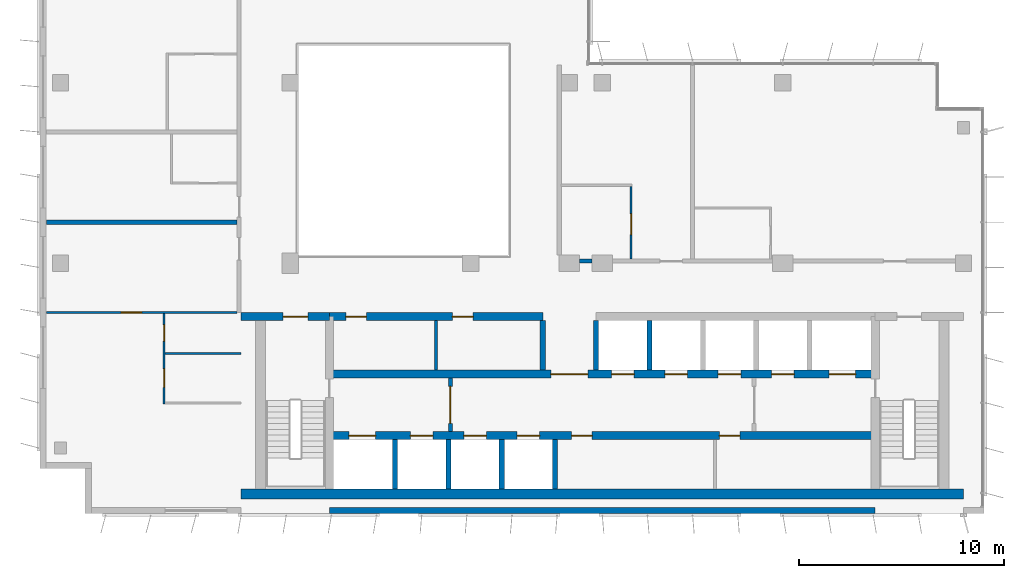
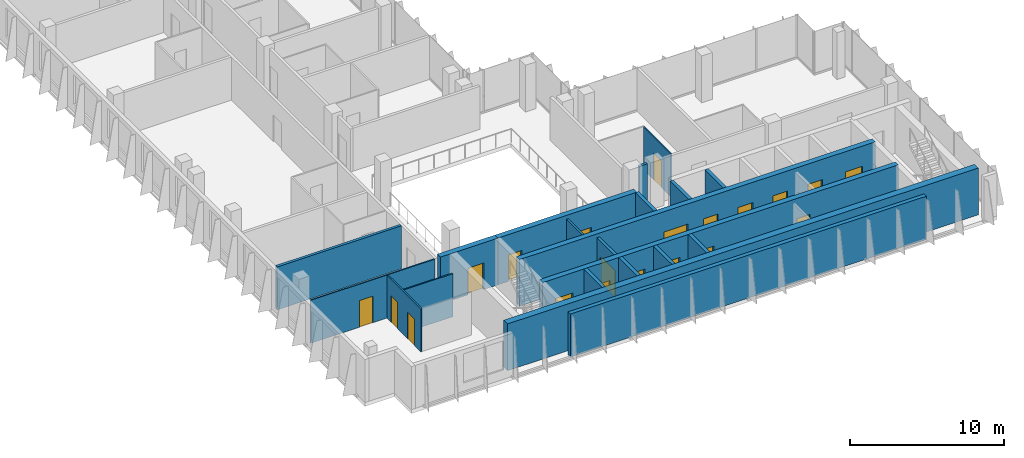
# One storey, part 9 of 15: 21 walls, 20 doors, 20 openings.
"""IFC4 building model written with IfcOpenShell, lengths in metres."""

from ifc_helpers import new_model, si_unit, direction, frame, frame_2d, origin, place, context, subcontext, project, spatial, rectangle, extrude, material, layer, layer_set, type_object, element, fill, save


model = new_model("IFC4")

# Units and contexts
model_context = context("Model", 3, precision=1e-05, world=origin(), true_north=direction((0.0, 1.0)))
body_context = subcontext(model_context, "Body", "Model", "MODEL_VIEW")
ifc_project = project(units=[si_unit("LENGTHUNIT", "METRE"), si_unit("AREAUNIT", "SQUARE_METRE"), si_unit("VOLUMEUNIT", "CUBIC_METRE"), si_unit("PLANEANGLEUNIT", "RADIAN"), si_unit("MASSUNIT", "GRAM", prefix="KILO")], contexts=[model_context])

# Site, building, storey
site_placement = place(None, origin())
site = spatial("IfcSite", under=ifc_project, at=site_placement, CompositionType="ELEMENT")
building_placement = place(site_placement, origin())
building = spatial("IfcBuilding", under=site, at=building_placement, Name="Kemantara Hotel Tower", CompositionType="ELEMENT")
storey_placement = place(building_placement, frame((0.0, 0.0, 233.89990234375)))
storey = spatial("IfcBuildingStorey", under=building, at=storey_placement, Name="L58", CompositionType="ELEMENT", Elevation=233.89990234375)

# Walls
ifc_material_1 = material(Name="Bronze anodised aluminium cladding on insulated steel stud wall", Category="steel")
ifc_layer_1 = layer(ifc_material_1, 0.300048828125)
ifc_layer_set_1 = layer_set([ifc_layer_1], Name="Bronze anodised aluminium cladding on insulated steel stud wall")
wall_type_1 = type_object("IfcWallType", Name="BRONZE METAL-CLAD EXTERNAL WALL 300", PredefinedType="STANDARD", material=ifc_layer_set_1)
wall_1_placement = place(storey_placement, frame((14.10009765625, 0.14990234375, 0.0), z_axis=(0.0, 0.0, 1.0), x_axis=(1.0, 0.0, 0.0)))
element("IfcWall", 1, at=wall_1_placement, inside=storey, type_object=wall_type_1, Name="EXTERNAL WALL L58 T4-R08-2", PredefinedType="STANDARD", context=body_context, shape_type="SweptSolid", body=[
    extrude(rectangle(XDim=26.599853515625, YDim=0.300048828125, at=frame_2d((13.2998046875, 0.0))), origin(), (0.0, 0.0, 1.0), 3.400146484375),
])
ifc_material_2 = material(Name="Concrete fc 60 MPa", Category="concrete")
ifc_layer_2 = layer(ifc_material_2, 0.25)
ifc_layer_set_2 = layer_set([ifc_layer_2], Name="Concrete fc 60 MPa")
wall_type_2 = type_object("IfcWallType", Name="CORE WALL 250 FC60", PredefinedType="SHEAR", material=ifc_layer_set_2)
for number, where, z_axis, x_axis, name in (
    (2, (17.300048828125, 1.199951171875, 0.0), (0.0, 0.0, 1.0), (0.0, 1.0, 0.0), "CORE WALL CW-DS17.3"),
    (3, (19.89990234375, 1.199951171875, 0.0), (0.0, 0.0, 1.0), (0.0, 1.0, 0.0), "CORE WALL CW-DS19.9"),
    (4, (22.5, 1.199951171875, 0.0), (0.0, 0.0, 1.0), (0.0, 1.0, 0.0), "CORE WALL CW-DS22.5"),
    (5, (25.10009765625, 1.199951171875, 0.0), (0.0, 0.0, 1.0), (0.0, 1.0, 0.0), "CORE WALL CW-DS25.1"),
):
    element("IfcWall", number, at=place(storey_placement, frame(where, z_axis=z_axis, x_axis=x_axis)), inside=storey, type_object=wall_type_2, Name=name, PredefinedType="SHEAR", context=body_context, shape_type="SweptSolid", body=[
        extrude(rectangle(XDim=2.400146484375, YDim=0.25, at=frame_2d((1.2001953125, 0.0))), origin(), (0.0, 0.0, 1.0), 3.7001953125),
    ])
for number, where, z_axis, x_axis, name in (
    (6, (24.5, 7.0, 0.0), (0.0, 0.0, 1.0), (0.0, 1.0, 0.0), "CORE WALL CW-DN24.5"),
    (7, (27.10009765625, 7.0, 0.0), (0.0, 0.0, 1.0), (0.0, 1.0, 0.0), "CORE WALL CW-DN27.1"),
    (8, (29.699951171875, 7.0, 0.0), (0.0, 0.0, 1.0), (0.0, 1.0, 0.0), "CORE WALL CW-DN29.7"),
):
    element("IfcWall", number, at=place(storey_placement, frame(where, z_axis=z_axis, x_axis=x_axis)), inside=storey, type_object=wall_type_2, Name=name, PredefinedType="SHEAR", context=body_context, shape_type="SweptSolid", body=[
        extrude(rectangle(XDim=2.39990234375, YDim=0.25, at=frame_2d((1.199951171875, 0.0))), origin(), (0.0, 0.0, 1.0), 3.7001953125),
    ])

# Wall, opening, door
ifc_layer_3 = layer(ifc_material_2, 0.39990234375)
ifc_layer_set_3 = layer_set([ifc_layer_3], Name="Concrete fc 60 MPa")
wall_type_3 = type_object("IfcWallType", Name="CORE WALL 400 FC60", PredefinedType="SHEAR", material=ifc_layer_set_3)
wall_2_placement = place(storey_placement, frame((9.800048828125, 9.60009765625, 0.0), z_axis=(0.0, 0.0, 1.0), x_axis=(1.0, 0.0, 0.0)))
wall_2 = element("IfcWall", 9, at=wall_2_placement, inside=storey, type_object=wall_type_3, Name="CORE WALL CW-N1", PredefinedType="SHEAR", context=body_context, shape_type="SweptSolid", body=[
    extrude(rectangle(XDim=4.300048828125, YDim=0.39990234375, at=frame_2d((2.14990234375, 0.0))), origin(), (0.0, 0.0, 1.0), 3.7001953125),
])
opening_1_placement = place(wall_2_placement, frame((2.050048828125, 0.0, 0.0)))
opening_1 = element("IfcOpeningElement", 10, at=opening_1_placement, cuts=wall_2, Name="Opening C35-ST1-C", PredefinedType="OPENING", context=body_context, shape_type="SweptSolid", body=[
    extrude(rectangle(XDim=1.199951171875, YDim=2.10009765625, at=frame_2d((0.60009765625, 1.050048828125))), frame((0.0, 0.2099609375, 0.0), z_axis=(0.0, -1.0, 0.0), x_axis=(1.0, 0.0, 0.0)), (0.0, 0.0, 1.0), 0.419921875),
])
ifc_material_3 = material(Name="Steel fire door", Category="steel")
door_type_1 = type_object("IfcDoorType", Name="Fire door FD90 1200 x 2100", OperationType="NOTDEFINED", PredefinedType="DOOR", material=ifc_material_3)
door_1_placement = place(opening_1_placement, frame((1.199951171875, 0.0, 0.0), z_axis=(0.0, 0.0, 1.0), x_axis=(-1.0, 0.0, 0.0)))
door_1 = element("IfcDoor", 11, at=door_1_placement, inside=storey, type_object=door_type_1, Name="Stair ST1 door to corridor", OperationType="SINGLE_SWING_LEFT", OverallHeight=2.10009765625, OverallWidth=1.199951171875, PredefinedType="DOOR", context=body_context, shape_type="SweptSolid", body=[
    extrude(rectangle(XDim=1.199951171875, YDim=2.10009765625, at=frame_2d((0.60009765625, 1.050048828125))), frame((0.0, 0.02490234375, 0.0), z_axis=(0.0, -1.0, 0.0), x_axis=(1.0, 0.0, 0.0)), (0.0, 0.0, 1.0), 0.050048828125),
])
fill(opening_1, door_1)

# Wall, openings, doors
wall_3_placement = place(storey_placement, frame((14.10009765625, 9.60009765625, 0.0), z_axis=(0.0, 0.0, 1.0), x_axis=(1.0, 0.0, 0.0)))
wall_3 = element("IfcWall", 12, at=wall_3_placement, inside=storey, type_object=wall_type_3, Name="CORE WALL CW-NN1", PredefinedType="SHEAR", context=body_context, shape_type="SweptSolid", body=[
    extrude(rectangle(XDim=10.39990234375, YDim=0.39990234375, at=frame_2d((5.199951171875, 0.0))), origin(), (0.0, 0.0, 1.0), 3.7001953125),
])
opening_2_placement = place(wall_3_placement, frame((0.800048828125, 0.0, 0.0)))
opening_2 = element("IfcOpeningElement", 13, at=opening_2_placement, cuts=wall_3, Name="Opening C35-R-NW1", PredefinedType="OPENING", context=body_context, shape_type="SweptSolid", body=[
    extrude(rectangle(XDim=1.0, YDim=2.10009765625, at=frame_2d((0.5, 1.050048828125))), frame((0.0, 0.2099609375, 0.0), z_axis=(0.0, -1.0, 0.0), x_axis=(1.0, 0.0, 0.0)), (0.0, 0.0, 1.0), 0.419921875),
])
opening_3_placement = place(wall_3_placement, frame((6.0, 0.0, 0.0)))
opening_3 = element("IfcOpeningElement", 14, at=opening_3_placement, cuts=wall_3, Name="Opening C35-R-NW2", PredefinedType="OPENING", context=body_context, shape_type="SweptSolid", body=[
    extrude(rectangle(XDim=1.0, YDim=2.10009765625, at=frame_2d((0.5, 1.050048828125))), frame((0.0, 0.2099609375, 0.0), z_axis=(0.0, -1.0, 0.0), x_axis=(1.0, 0.0, 0.0)), (0.0, 0.0, 1.0), 0.419921875),
])
door_type_2 = type_object("IfcDoorType", Name="Fire door FD30S 1000 x 2100", OperationType="NOTDEFINED", PredefinedType="DOOR", material=ifc_material_3)
door_2_placement = place(opening_2_placement, frame((1.0, 0.0, 0.0), z_axis=(0.0, 0.0, 1.0), x_axis=(-1.0, 0.0, 0.0)))
door_2 = element("IfcDoor", 15, at=door_2_placement, inside=storey, type_object=door_type_2, Name="Housekeeping Store door", OperationType="SINGLE_SWING_RIGHT", OverallHeight=2.10009765625, OverallWidth=1.0, PredefinedType="DOOR", context=body_context, shape_type="SweptSolid", body=[
    extrude(rectangle(XDim=1.0, YDim=2.10009765625, at=frame_2d((0.5, 1.050048828125))), frame((0.0, 0.02490234375, 0.0), z_axis=(0.0, -1.0, 0.0), x_axis=(1.0, 0.0, 0.0)), (0.0, 0.0, 1.0), 0.050048828125),
])
fill(opening_2, door_2)
door_3_placement = place(opening_3_placement, frame((1.0, 0.0, 0.0), z_axis=(0.0, 0.0, 1.0), x_axis=(-1.0, 0.0, 0.0)))
door_3 = element("IfcDoor", 16, at=door_3_placement, inside=storey, type_object=door_type_2, Name="Staff Lounge door", OperationType="SINGLE_SWING_LEFT", OverallHeight=2.10009765625, OverallWidth=1.0, PredefinedType="DOOR", context=body_context, shape_type="SweptSolid", body=[
    extrude(rectangle(XDim=1.0, YDim=2.10009765625, at=frame_2d((0.5, 1.050048828125))), frame((0.0, 0.02490234375, 0.0), z_axis=(0.0, -1.0, 0.0), x_axis=(1.0, 0.0, 0.0)), (0.0, 0.0, 1.0), 0.050048828125),
])
fill(opening_3, door_3)

wall_4_placement = place(storey_placement, frame((14.10009765625, 3.800048828125, 0.0), z_axis=(0.0, 0.0, 1.0), x_axis=(1.0, 0.0, 0.0)))
wall_4 = element("IfcWall", 17, at=wall_4_placement, inside=storey, type_object=wall_type_3, Name="CORE WALL CW-L1", PredefinedType="SHEAR", context=body_context, shape_type="SweptSolid", body=[
    extrude(rectangle(XDim=26.599853515625, YDim=0.39990234375, at=frame_2d((13.2998046875, 0.0))), origin(), (0.0, 0.0, 1.0), 3.7001953125),
])
opening_4_placement = place(wall_4_placement, frame((0.949951171875, 0.0, 0.0)))
opening_4 = element("IfcOpeningElement", 18, at=opening_4_placement, cuts=wall_4, Name="Opening C35-LD-FF1", PredefinedType="OPENING", context=body_context, shape_type="SweptSolid", body=[
    extrude(rectangle(XDim=1.300048828125, YDim=2.10009765625, at=frame_2d((0.64990234375, 1.050048828125))), frame((0.0, 0.2099609375, 0.0), z_axis=(0.0, -1.0, 0.0), x_axis=(1.0, 0.0, 0.0)), (0.0, 0.0, 1.0), 0.419921875),
])
opening_5_placement = place(wall_4_placement, frame((3.949951171875, 0.0, 0.0)))
opening_5 = element("IfcOpeningElement", 19, at=opening_5_placement, cuts=wall_4, Name="Opening C35-LD-SV1", PredefinedType="OPENING", context=body_context, shape_type="SweptSolid", body=[
    extrude(rectangle(XDim=1.10009765625, YDim=2.10009765625, at=frame_2d((0.550048828125, 1.050048828125))), frame((0.0, 0.2099609375, 0.0), z_axis=(0.0, -1.0, 0.0), x_axis=(1.0, 0.0, 0.0)), (0.0, 0.0, 1.0), 0.419921875),
])
opening_6_placement = place(wall_4_placement, frame((6.550048828125, 0.0, 0.0)))
opening_6 = element("IfcOpeningElement", 20, at=opening_6_placement, cuts=wall_4, Name="Opening C35-LD-SV2", PredefinedType="OPENING", context=body_context, shape_type="SweptSolid", body=[
    extrude(rectangle(XDim=1.10009765625, YDim=2.10009765625, at=frame_2d((0.550048828125, 1.050048828125))), frame((0.0, 0.2099609375, 0.0), z_axis=(0.0, -1.0, 0.0), x_axis=(1.0, 0.0, 0.0)), (0.0, 0.0, 1.0), 0.419921875),
])
opening_7_placement = place(wall_4_placement, frame((9.14990234375, 0.0, 0.0)))
opening_7 = element("IfcOpeningElement", 21, at=opening_7_placement, cuts=wall_4, Name="Opening C35-LD-SV3", PredefinedType="OPENING", context=body_context, shape_type="SweptSolid", body=[
    extrude(rectangle(XDim=1.10009765625, YDim=2.10009765625, at=frame_2d((0.550048828125, 1.050048828125))), frame((0.0, 0.2099609375, 0.0), z_axis=(0.0, -1.0, 0.0), x_axis=(1.0, 0.0, 0.0)), (0.0, 0.0, 1.0), 0.419921875),
])
opening_8_placement = place(wall_4_placement, frame((11.800048828125, 0.0, 0.0)))
opening_8 = element("IfcOpeningElement", 22, at=opening_8_placement, cuts=wall_4, Name="Opening C35-R-SM1", PredefinedType="OPENING", context=body_context, shape_type="SweptSolid", body=[
    extrude(rectangle(XDim=1.0, YDim=2.10009765625, at=frame_2d((0.5, 1.050048828125))), frame((0.0, 0.2099609375, 0.0), z_axis=(0.0, -1.0, 0.0), x_axis=(1.0, 0.0, 0.0)), (0.0, 0.0, 1.0), 0.419921875),
])
opening_9_placement = place(wall_4_placement, frame((19.0, 0.0, 0.0)))
opening_9 = element("IfcOpeningElement", 23, at=opening_9_placement, cuts=wall_4, Name="Opening C35-R-SM2", PredefinedType="OPENING", context=body_context, shape_type="SweptSolid", body=[
    extrude(rectangle(XDim=1.0, YDim=2.10009765625, at=frame_2d((0.5, 1.050048828125))), frame((0.0, 0.2099609375, 0.0), z_axis=(0.0, -1.0, 0.0), x_axis=(1.0, 0.0, 0.0)), (0.0, 0.0, 1.0), 0.419921875),
])
door_4_placement = place(opening_8_placement, frame((1.0, 0.0, 0.0), z_axis=(0.0, 0.0, 1.0), x_axis=(-1.0, 0.0, 0.0)))
door_4 = element("IfcDoor", 24, at=door_4_placement, inside=storey, type_object=door_type_2, Name="Luggage Store door", OperationType="SINGLE_SWING_RIGHT", OverallHeight=2.10009765625, OverallWidth=1.0, PredefinedType="DOOR", context=body_context, shape_type="SweptSolid", body=[
    extrude(rectangle(XDim=1.0, YDim=2.10009765625, at=frame_2d((0.5, 1.050048828125))), frame((0.0, 0.02490234375, 0.0), z_axis=(0.0, -1.0, 0.0), x_axis=(1.0, 0.0, 0.0)), (0.0, 0.0, 1.0), 0.050048828125),
])
fill(opening_8, door_4)
door_5_placement = place(opening_9_placement, frame((1.0, 0.0, 0.0), z_axis=(0.0, 0.0, 1.0), x_axis=(-1.0, 0.0, 0.0)))
door_5 = element("IfcDoor", 25, at=door_5_placement, inside=storey, type_object=door_type_2, Name="Guest Pantry door", OperationType="SINGLE_SWING_LEFT", OverallHeight=2.10009765625, OverallWidth=1.0, PredefinedType="DOOR", context=body_context, shape_type="SweptSolid", body=[
    extrude(rectangle(XDim=1.0, YDim=2.10009765625, at=frame_2d((0.5, 1.050048828125))), frame((0.0, 0.02490234375, 0.0), z_axis=(0.0, -1.0, 0.0), x_axis=(1.0, 0.0, 0.0)), (0.0, 0.0, 1.0), 0.050048828125),
])
fill(opening_9, door_5)
ifc_material_4 = material(Name="Stainless steel lift door", Category="steel")
door_type_3 = type_object("IfcDoorType", Name="Lift landing door 1100 x 2100 FD60", OperationType="DOUBLE_DOOR_SLIDING", PredefinedType="DOOR", material=ifc_material_4)
door_6_placement = place(opening_5_placement, origin())
door_6 = element("IfcDoor", 26, at=door_6_placement, inside=storey, type_object=door_type_3, Name="Lift SV1 landing door", OperationType="DOUBLE_DOOR_SLIDING", OverallHeight=2.10009765625, OverallWidth=1.10009765625, PredefinedType="DOOR", context=body_context, shape_type="SweptSolid", body=[
    extrude(rectangle(XDim=1.10009765625, YDim=2.10009765625, at=frame_2d((0.550048828125, 1.050048828125))), frame((0.0, 0.02490234375, 0.0), z_axis=(0.0, -1.0, 0.0), x_axis=(1.0, 0.0, 0.0)), (0.0, 0.0, 1.0), 0.050048828125),
])
fill(opening_5, door_6)
door_7_placement = place(opening_6_placement, origin())
door_7 = element("IfcDoor", 27, at=door_7_placement, inside=storey, type_object=door_type_3, Name="Lift SV2 landing door", OperationType="DOUBLE_DOOR_SLIDING", OverallHeight=2.10009765625, OverallWidth=1.10009765625, PredefinedType="DOOR", context=body_context, shape_type="SweptSolid", body=[
    extrude(rectangle(XDim=1.10009765625, YDim=2.10009765625, at=frame_2d((0.550048828125, 1.050048828125))), frame((0.0, 0.02490234375, 0.0), z_axis=(0.0, -1.0, 0.0), x_axis=(1.0, 0.0, 0.0)), (0.0, 0.0, 1.0), 0.050048828125),
])
fill(opening_6, door_7)
door_8_placement = place(opening_7_placement, origin())
door_8 = element("IfcDoor", 28, at=door_8_placement, inside=storey, type_object=door_type_3, Name="Lift SV3 landing door", OperationType="DOUBLE_DOOR_SLIDING", OverallHeight=2.10009765625, OverallWidth=1.10009765625, PredefinedType="DOOR", context=body_context, shape_type="SweptSolid", body=[
    extrude(rectangle(XDim=1.10009765625, YDim=2.10009765625, at=frame_2d((0.550048828125, 1.050048828125))), frame((0.0, 0.02490234375, 0.0), z_axis=(0.0, -1.0, 0.0), x_axis=(1.0, 0.0, 0.0)), (0.0, 0.0, 1.0), 0.050048828125),
])
fill(opening_7, door_8)
door_type_4 = type_object("IfcDoorType", Name="Lift landing door 1300 x 2100 FD90", OperationType="DOUBLE_DOOR_SLIDING", PredefinedType="DOOR", material=ifc_material_4)
door_9_placement = place(opening_4_placement, origin())
door_9 = element("IfcDoor", 29, at=door_9_placement, inside=storey, type_object=door_type_4, Name="Lift FF1 landing door", OperationType="DOUBLE_DOOR_SLIDING", OverallHeight=2.10009765625, OverallWidth=1.300048828125, PredefinedType="DOOR", context=body_context, shape_type="SweptSolid", body=[
    extrude(rectangle(XDim=1.300048828125, YDim=2.10009765625, at=frame_2d((0.64990234375, 1.050048828125))), frame((0.0, 0.02490234375, 0.0), z_axis=(0.0, -1.0, 0.0), x_axis=(1.0, 0.0, 0.0)), (0.0, 0.0, 1.0), 0.050048828125),
])
fill(opening_4, door_9)

wall_5_placement = place(storey_placement, frame((14.10009765625, 6.800048828125, 0.0), z_axis=(0.0, 0.0, 1.0), x_axis=(1.0, 0.0, 0.0)))
wall_5 = element("IfcWall", 30, at=wall_5_placement, inside=storey, type_object=wall_type_3, Name="CORE WALL CW-L2", PredefinedType="SHEAR", context=body_context, shape_type="SweptSolid", body=[
    extrude(rectangle(XDim=26.599853515625, YDim=0.39990234375, at=frame_2d((13.2998046875, 0.0))), origin(), (0.0, 0.0, 1.0), 3.7001953125),
])
opening_10_placement = place(wall_5_placement, frame((10.800048828125, 0.0, 0.0)))
opening_10 = element("IfcOpeningElement", 31, at=opening_10_placement, cuts=wall_5, Name="Opening C35-VL", PredefinedType="OPENING", context=body_context, shape_type="SweptSolid", body=[
    extrude(rectangle(XDim=1.800048828125, YDim=2.10009765625, at=frame_2d((0.89990234375, 1.050048828125))), frame((0.0, 0.2099609375, 0.0), z_axis=(0.0, -1.0, 0.0), x_axis=(1.0, 0.0, 0.0)), (0.0, 0.0, 1.0), 0.419921875),
])
opening_11_placement = place(wall_5_placement, frame((13.75, 0.0, 0.0)))
opening_11 = element("IfcOpeningElement", 32, at=opening_11_placement, cuts=wall_5, Name="Opening C35-LD-HR1", PredefinedType="OPENING", context=body_context, shape_type="SweptSolid", body=[
    extrude(rectangle(XDim=1.10009765625, YDim=2.10009765625, at=frame_2d((0.550048828125, 1.050048828125))), frame((0.0, 0.2099609375, 0.0), z_axis=(0.0, -1.0, 0.0), x_axis=(1.0, 0.0, 0.0)), (0.0, 0.0, 1.0), 0.419921875),
])
opening_12_placement = place(wall_5_placement, frame((16.35009765625, 0.0, 0.0)))
opening_12 = element("IfcOpeningElement", 33, at=opening_12_placement, cuts=wall_5, Name="Opening C35-LD-HR2", PredefinedType="OPENING", context=body_context, shape_type="SweptSolid", body=[
    extrude(rectangle(XDim=1.10009765625, YDim=2.10009765625, at=frame_2d((0.550048828125, 1.050048828125))), frame((0.0, 0.2099609375, 0.0), z_axis=(0.0, -1.0, 0.0), x_axis=(1.0, 0.0, 0.0)), (0.0, 0.0, 1.0), 0.419921875),
])
opening_13_placement = place(wall_5_placement, frame((18.949951171875, 0.0, 0.0)))
opening_13 = element("IfcOpeningElement", 34, at=opening_13_placement, cuts=wall_5, Name="Opening C35-LD-HR3", PredefinedType="OPENING", context=body_context, shape_type="SweptSolid", body=[
    extrude(rectangle(XDim=1.10009765625, YDim=2.10009765625, at=frame_2d((0.550048828125, 1.050048828125))), frame((0.0, 0.2099609375, 0.0), z_axis=(0.0, -1.0, 0.0), x_axis=(1.0, 0.0, 0.0)), (0.0, 0.0, 1.0), 0.419921875),
])
opening_14_placement = place(wall_5_placement, frame((21.550048828125, 0.0, 0.0)))
opening_14 = element("IfcOpeningElement", 35, at=opening_14_placement, cuts=wall_5, Name="Opening C35-LD-HR4", PredefinedType="OPENING", context=body_context, shape_type="SweptSolid", body=[
    extrude(rectangle(XDim=1.10009765625, YDim=2.10009765625, at=frame_2d((0.550048828125, 1.050048828125))), frame((0.0, 0.2099609375, 0.0), z_axis=(0.0, -1.0, 0.0), x_axis=(1.0, 0.0, 0.0)), (0.0, 0.0, 1.0), 0.419921875),
])
opening_15_placement = place(wall_5_placement, frame((24.35009765625, 0.0, 0.0)))
opening_15 = element("IfcOpeningElement", 36, at=opening_15_placement, cuts=wall_5, Name="Opening C35-LD-FF2", PredefinedType="OPENING", context=body_context, shape_type="SweptSolid", body=[
    extrude(rectangle(XDim=1.300048828125, YDim=2.10009765625, at=frame_2d((0.64990234375, 1.050048828125))), frame((0.0, 0.2099609375, 0.0), z_axis=(0.0, -1.0, 0.0), x_axis=(1.0, 0.0, 0.0)), (0.0, 0.0, 1.0), 0.419921875),
])
door_type_5 = type_object("IfcDoorType", Name="Fire door pair FD60 1800 x 2100", OperationType="DOUBLE_DOOR_SINGLE_SWING", PredefinedType="DOOR", material=ifc_material_3)
door_10_placement = place(opening_10_placement, frame((1.800048828125, 0.0, 0.0), z_axis=(0.0, 0.0, 1.0), x_axis=(-1.0, 0.0, 0.0)))
door_10 = element("IfcDoor", 37, at=door_10_placement, inside=storey, type_object=door_type_5, Name="Lift lobby entry door", OperationType="DOUBLE_DOOR_SINGLE_SWING", OverallHeight=2.10009765625, OverallWidth=1.800048828125, PredefinedType="DOOR", context=body_context, shape_type="SweptSolid", body=[
    extrude(rectangle(XDim=1.800048828125, YDim=2.10009765625, at=frame_2d((0.89990234375, 1.050048828125))), frame((0.0, 0.02490234375, 0.0), z_axis=(0.0, -1.0, 0.0), x_axis=(1.0, 0.0, 0.0)), (0.0, 0.0, 1.0), 0.050048828125),
])
fill(opening_10, door_10)
door_11_placement = place(opening_11_placement, origin())
door_11 = element("IfcDoor", 38, at=door_11_placement, inside=storey, type_object=door_type_3, Name="Lift HR1 landing door", OperationType="DOUBLE_DOOR_SLIDING", OverallHeight=2.10009765625, OverallWidth=1.10009765625, PredefinedType="DOOR", context=body_context, shape_type="SweptSolid", body=[
    extrude(rectangle(XDim=1.10009765625, YDim=2.10009765625, at=frame_2d((0.550048828125, 1.050048828125))), frame((0.0, 0.02490234375, 0.0), z_axis=(0.0, -1.0, 0.0), x_axis=(1.0, 0.0, 0.0)), (0.0, 0.0, 1.0), 0.050048828125),
])
fill(opening_11, door_11)
door_12_placement = place(opening_12_placement, origin())
door_12 = element("IfcDoor", 39, at=door_12_placement, inside=storey, type_object=door_type_3, Name="Lift HR2 landing door", OperationType="DOUBLE_DOOR_SLIDING", OverallHeight=2.10009765625, OverallWidth=1.10009765625, PredefinedType="DOOR", context=body_context, shape_type="SweptSolid", body=[
    extrude(rectangle(XDim=1.10009765625, YDim=2.10009765625, at=frame_2d((0.550048828125, 1.050048828125))), frame((0.0, 0.02490234375, 0.0), z_axis=(0.0, -1.0, 0.0), x_axis=(1.0, 0.0, 0.0)), (0.0, 0.0, 1.0), 0.050048828125),
])
fill(opening_12, door_12)
door_13_placement = place(opening_13_placement, origin())
door_13 = element("IfcDoor", 40, at=door_13_placement, inside=storey, type_object=door_type_3, Name="Lift HR3 landing door", OperationType="DOUBLE_DOOR_SLIDING", OverallHeight=2.10009765625, OverallWidth=1.10009765625, PredefinedType="DOOR", context=body_context, shape_type="SweptSolid", body=[
    extrude(rectangle(XDim=1.10009765625, YDim=2.10009765625, at=frame_2d((0.550048828125, 1.050048828125))), frame((0.0, 0.02490234375, 0.0), z_axis=(0.0, -1.0, 0.0), x_axis=(1.0, 0.0, 0.0)), (0.0, 0.0, 1.0), 0.050048828125),
])
fill(opening_13, door_13)
door_14_placement = place(opening_14_placement, origin())
door_14 = element("IfcDoor", 41, at=door_14_placement, inside=storey, type_object=door_type_3, Name="Lift HR4 landing door", OperationType="DOUBLE_DOOR_SLIDING", OverallHeight=2.10009765625, OverallWidth=1.10009765625, PredefinedType="DOOR", context=body_context, shape_type="SweptSolid", body=[
    extrude(rectangle(XDim=1.10009765625, YDim=2.10009765625, at=frame_2d((0.550048828125, 1.050048828125))), frame((0.0, 0.02490234375, 0.0), z_axis=(0.0, -1.0, 0.0), x_axis=(1.0, 0.0, 0.0)), (0.0, 0.0, 1.0), 0.050048828125),
])
fill(opening_14, door_14)
door_15_placement = place(opening_15_placement, origin())
door_15 = element("IfcDoor", 42, at=door_15_placement, inside=storey, type_object=door_type_4, Name="Lift FF2 landing door", OperationType="DOUBLE_DOOR_SLIDING", OverallHeight=2.10009765625, OverallWidth=1.300048828125, PredefinedType="DOOR", context=body_context, shape_type="SweptSolid", body=[
    extrude(rectangle(XDim=1.300048828125, YDim=2.10009765625, at=frame_2d((0.64990234375, 1.050048828125))), frame((0.0, 0.02490234375, 0.0), z_axis=(0.0, -1.0, 0.0), x_axis=(1.0, 0.0, 0.0)), (0.0, 0.0, 1.0), 0.050048828125),
])
fill(opening_15, door_15)

# Walls
ifc_layer_4 = layer(ifc_material_2, 0.5)
ifc_layer_set_4 = layer_set([ifc_layer_4], Name="Concrete fc 60 MPa")
wall_type_4 = type_object("IfcWallType", Name="CORE WALL 500 FC60", PredefinedType="SHEAR", material=ifc_layer_set_4)
wall_6_placement = place(storey_placement, frame((9.800048828125, 0.949951171875, 0.0), z_axis=(0.0, 0.0, 1.0), x_axis=(1.0, 0.0, 0.0)))
element("IfcWall", 43, at=wall_6_placement, inside=storey, type_object=wall_type_4, Name="CORE WALL CW-S", PredefinedType="SHEAR", context=body_context, shape_type="SweptSolid", body=[
    extrude(rectangle(XDim=35.199951171875, YDim=0.5, at=frame_2d((17.60009765625, 0.0))), origin(), (0.0, 0.0, 1.0), 3.7001953125),
])
ifc_material_5 = material(Name="Gypsum board partition, steel studs and mineral wool, 200 mm", Category="steel")
ifc_layer_5 = layer(ifc_material_5, 0.199951171875)
ifc_layer_set_5 = layer_set([ifc_layer_5], Name="Gypsum board partition, steel studs and mineral wool, 200 mm")
wall_type_5 = type_object("IfcWallType", Name="CORRIDOR WALL 200", PredefinedType="PARTITIONING", material=ifc_layer_set_5)
wall_7_placement = place(storey_placement, frame((26.300048828125, 12.300048828125, 0.0), z_axis=(0.0, 0.0, 1.0), x_axis=(1.0, 0.0, 0.0)))
element("IfcWall", 44, at=wall_7_placement, inside=storey, type_object=wall_type_5, Name="CORRIDOR WALL 200 001", PredefinedType="PARTITIONING", context=body_context, shape_type="SweptSolid", body=[
    extrude(rectangle(XDim=0.599853515625, YDim=0.199951171875, at=frame_2d((0.2998046875, 0.0))), origin(), (0.0, 0.0, 1.0), 3.400146484375),
])
ifc_layer_6 = layer(ifc_material_5, 0.199951171875)
ifc_layer_set_6 = layer_set([ifc_layer_6], Name="Gypsum board partition, steel studs and mineral wool, 200 mm")
wall_type_6 = type_object("IfcWallType", Name="GUEST ROOM PARTY WALL 200", PredefinedType="PARTITIONING", material=ifc_layer_set_6)
wall_8_placement = place(storey_placement, frame((0.31005859375, 14.199951171875, 0.0), z_axis=(0.0, 0.0, 1.0), x_axis=(1.0, 0.0, 0.0)))
element("IfcWall", 45, at=wall_8_placement, inside=storey, type_object=wall_type_6, Name="GUEST ROOM PARTY WALL 200 008", PredefinedType="PARTITIONING", context=body_context, shape_type="SweptSolid", body=[
    extrude(rectangle(XDim=9.2900390625, YDim=0.199951171875, at=frame_2d((4.64501953125, 0.0))), origin(), (0.0, 0.0, 1.0), 3.400146484375),
])
ifc_material_6 = material(Name="Gypsum board partition")
ifc_layer_7 = layer(ifc_material_6, 0.14990234375)
ifc_layer_set_7 = layer_set([ifc_layer_7], Name="Gypsum board partition")
wall_type_7 = type_object("IfcWallType", Name="Gypsum board partition 150 mm", PredefinedType="PARTITIONING", material=ifc_layer_set_7)
wall_9_placement = place(storey_placement, frame((19.300048828125, 7.0, 0.0), z_axis=(0.0, 0.0, 1.0), x_axis=(0.0, 1.0, 0.0)))
element("IfcWall", 46, at=wall_9_placement, inside=storey, type_object=wall_type_7, Name="Core room partition", PredefinedType="PARTITIONING", context=body_context, shape_type="SweptSolid", body=[
    extrude(rectangle(XDim=2.39990234375, YDim=0.14990234375, at=frame_2d((1.199951171875, 0.0))), origin(), (0.0, 0.0, 1.0), 3.400146484375),
])

# Wall, opening, door
ifc_material_7 = material(Name="Gypsum board shaft wall")
ifc_layer_8 = layer(ifc_material_7, 0.199951171875)
ifc_layer_set_8 = layer_set([ifc_layer_8], Name="Gypsum board shaft wall")
wall_type_8 = type_object("IfcWallType", Name="Gypsum board shaft wall 200 mm", PredefinedType="PARTITIONING", material=ifc_layer_set_8)
wall_10_placement = place(storey_placement, frame((20.0, 4.0, 0.0), z_axis=(0.0, 0.0, 1.0), x_axis=(0.0, 1.0, 0.0)))
wall_10 = element("IfcWall", 47, at=wall_10_placement, inside=storey, type_object=wall_type_8, Name="Firefighting lobby partition west", PredefinedType="PARTITIONING", context=body_context, shape_type="SweptSolid", body=[
    extrude(rectangle(XDim=2.60009765625, YDim=0.199951171875, at=frame_2d((1.300048828125, 0.0))), origin(), (0.0, 0.0, 1.0), 3.400146484375),
])
opening_16_placement = place(wall_10_placement, frame((0.39990234375, 0.0, 0.0)))
opening_16 = element("IfcOpeningElement", 48, at=opening_16_placement, cuts=wall_10, Name="Opening C35-FFW", PredefinedType="OPENING", context=body_context, shape_type="SweptSolid", body=[
    extrude(rectangle(XDim=1.800048828125, YDim=2.10009765625, at=frame_2d((0.89990234375, 1.050048828125))), frame((0.0, 0.10986328125, 0.0), z_axis=(0.0, -1.0, 0.0), x_axis=(1.0, 0.0, 0.0)), (0.0, 0.0, 1.0), 0.219970703125),
])
door_16_placement = place(opening_16_placement, origin())
door_16 = element("IfcDoor", 49, at=door_16_placement, inside=storey, type_object=door_type_5, Name="Firefighting lobby door west", OperationType="DOUBLE_DOOR_SINGLE_SWING", OverallHeight=2.10009765625, OverallWidth=1.800048828125, PredefinedType="DOOR", context=body_context, shape_type="SweptSolid", body=[
    extrude(rectangle(XDim=1.800048828125, YDim=2.10009765625, at=frame_2d((0.89990234375, 1.050048828125))), frame((0.0, 0.02490234375, 0.0), z_axis=(0.0, -1.0, 0.0), x_axis=(1.0, 0.0, 0.0)), (0.0, 0.0, 1.0), 0.050048828125),
])
fill(opening_16, door_16)

ifc_material_8 = material(Name="Gypsum board partition on steel studs, 100 mm", Category="steel")
ifc_layer_9 = layer(ifc_material_8, 0.10009765625)
ifc_layer_set_9 = layer_set([ifc_layer_9], Name="Gypsum board partition on steel studs, 100 mm")
wall_type_9 = type_object("IfcWallType", Name="ROOM PARTITION 100", PredefinedType="PARTITIONING", material=ifc_layer_set_9)
wall_11_placement = place(storey_placement, frame((28.800048828125, 12.39990234375, 0.0), z_axis=(0.0, 0.0, 1.0), x_axis=(0.0, 1.0, 0.0)))
wall_11 = element("IfcWall", 50, at=wall_11_placement, inside=storey, type_object=wall_type_9, Name="ROOM PARTITION 100 024", PredefinedType="PARTITIONING", context=body_context, shape_type="SweptSolid", body=[
    extrude(rectangle(XDim=3.550048828125, YDim=0.10009765625, at=frame_2d((1.77490234375, 0.0))), origin(), (0.0, 0.0, 1.0), 3.400146484375),
])
opening_17_placement = place(wall_11_placement, frame((1.199951171875, 0.0, 0.0)))
opening_17 = element("IfcOpeningElement", 51, at=opening_17_placement, cuts=wall_11, Name="Opening F28-002", PredefinedType="OPENING", context=body_context, shape_type="SweptSolid", body=[
    extrude(rectangle(XDim=1.0, YDim=2.10009765625, at=frame_2d((0.5, 1.050048828125))), frame((0.0, 0.06005859375, 0.0), z_axis=(0.0, -1.0, 0.0), x_axis=(1.0, 0.0, 0.0)), (0.0, 0.0, 1.0), 0.1201171875),
])
ifc_material_9 = material(Name="Hardwood veneer door leaf with steel frame", Category="steel")
door_type_6 = type_object("IfcDoorType", Name="BATHROOM DOOR 1000 X 2100", OperationType="NOTDEFINED", PredefinedType="DOOR", material=ifc_material_9)
door_17_placement = place(opening_17_placement, origin())
door_17 = element("IfcDoor", 52, at=door_17_placement, inside=storey, type_object=door_type_6, Name="BATHROOM DOOR F28-002", OperationType="SINGLE_SWING_LEFT", OverallHeight=2.10009765625, OverallWidth=1.0, PredefinedType="DOOR", context=body_context, shape_type="SweptSolid", body=[
    extrude(rectangle(XDim=1.0, YDim=2.10009765625, at=frame_2d((0.5, 1.050048828125))), frame((0.0, 0.02490234375, 0.0), z_axis=(0.0, -1.0, 0.0), x_axis=(1.0, 0.0, 0.0)), (0.0, 0.0, 1.0), 0.050048828125),
])
fill(opening_17, door_17)

# Wall, openings, doors
wall_12_placement = place(storey_placement, frame((6.050048828125, 9.75, 0.0), z_axis=(0.0, 0.0, 1.0), x_axis=(0.0, -1.0, 0.0)))
wall_12 = element("IfcWall", 53, at=wall_12_placement, inside=storey, type_object=wall_type_9, Name="ROOM PARTITION 100 027", PredefinedType="PARTITIONING", context=body_context, shape_type="SweptSolid", body=[
    extrude(rectangle(XDim=4.39990234375, YDim=0.10009765625, at=frame_2d((2.199951171875, 0.0))), origin(), (0.0, 0.0, 1.0), 3.400146484375),
])
opening_18_placement = place(wall_12_placement, frame((2.699951171875, 0.0, 0.0)))
opening_18 = element("IfcOpeningElement", 54, at=opening_18_placement, cuts=wall_12, Name="Opening F28-007", PredefinedType="OPENING", context=body_context, shape_type="SweptSolid", body=[
    extrude(rectangle(XDim=0.89990234375, YDim=2.10009765625, at=frame_2d((0.449951171875, 1.050048828125))), frame((0.0, 0.06005859375, 0.0), z_axis=(0.0, -1.0, 0.0), x_axis=(1.0, 0.0, 0.0)), (0.0, 0.0, 1.0), 0.1201171875),
])
opening_19_placement = place(wall_12_placement, frame((0.550048828125, 0.0, 0.0)))
opening_19 = element("IfcOpeningElement", 55, at=opening_19_placement, cuts=wall_12, Name="Opening F28-008", PredefinedType="OPENING", context=body_context, shape_type="SweptSolid", body=[
    extrude(rectangle(XDim=0.800048828125, YDim=2.10009765625, at=frame_2d((0.39990234375, 1.050048828125))), frame((0.0, 0.06005859375, 0.0), z_axis=(0.0, -1.0, 0.0), x_axis=(1.0, 0.0, 0.0)), (0.0, 0.0, 1.0), 0.1201171875),
])
door_type_7 = type_object("IfcDoorType", Name="BATHROOM DOOR 900 X 2100", OperationType="NOTDEFINED", PredefinedType="DOOR", material=ifc_material_9)
door_18_placement = place(opening_18_placement, origin())
door_18 = element("IfcDoor", 56, at=door_18_placement, inside=storey, type_object=door_type_7, Name="BATHROOM DOOR F28-007", OperationType="SINGLE_SWING_LEFT", OverallHeight=2.10009765625, OverallWidth=0.89990234375, PredefinedType="DOOR", context=body_context, shape_type="SweptSolid", body=[
    extrude(rectangle(XDim=0.89990234375, YDim=2.10009765625, at=frame_2d((0.449951171875, 1.050048828125))), frame((0.0, 0.02490234375, 0.0), z_axis=(0.0, -1.0, 0.0), x_axis=(1.0, 0.0, 0.0)), (0.0, 0.0, 1.0), 0.050048828125),
])
fill(opening_18, door_18)
door_type_8 = type_object("IfcDoorType", Name="WARDROBE DOOR 800 X 2100", OperationType="NOTDEFINED", PredefinedType="DOOR", material=ifc_material_9)
door_19_placement = place(opening_19_placement, origin())
door_19 = element("IfcDoor", 57, at=door_19_placement, inside=storey, type_object=door_type_8, Name="WARDROBE DOOR F28-008", OperationType="SINGLE_SWING_LEFT", OverallHeight=2.10009765625, OverallWidth=0.800048828125, PredefinedType="DOOR", context=body_context, shape_type="SweptSolid", body=[
    extrude(rectangle(XDim=0.800048828125, YDim=2.10009765625, at=frame_2d((0.39990234375, 1.050048828125))), frame((0.0, 0.02490234375, 0.0), z_axis=(0.0, -1.0, 0.0), x_axis=(1.0, 0.0, 0.0)), (0.0, 0.0, 1.0), 0.050048828125),
])
fill(opening_19, door_19)

# Wall, opening, door
wall_13_placement = place(storey_placement, frame((9.60009765625, 9.800048828125, 0.0), z_axis=(0.0, 0.0, 1.0), x_axis=(-1.0, 0.0, 0.0)))
wall_13 = element("IfcWall", 58, at=wall_13_placement, inside=storey, type_object=wall_type_9, Name="ROOM PARTITION 100 028", PredefinedType="PARTITIONING", context=body_context, shape_type="SweptSolid", body=[
    extrude(rectangle(XDim=9.2900390625, YDim=0.10009765625, at=frame_2d((4.64501953125, 0.0))), origin(), (0.0, 0.0, 1.0), 3.400146484375),
])
opening_20_placement = place(wall_13_placement, frame((4.64990234375, 0.0, 0.0)))
opening_20 = element("IfcOpeningElement", 59, at=opening_20_placement, cuts=wall_13, Name="Opening F28-006", PredefinedType="OPENING", context=body_context, shape_type="SweptSolid", body=[
    extrude(rectangle(XDim=1.0, YDim=2.10009765625, at=frame_2d((0.5, 1.050048828125))), frame((0.0, 0.06005859375, 0.0), z_axis=(0.0, -1.0, 0.0), x_axis=(1.0, 0.0, 0.0)), (0.0, 0.0, 1.0), 0.1201171875),
])
door_type_9 = type_object("IfcDoorType", Name="INTERNAL DOOR 1000 X 2100", OperationType="NOTDEFINED", PredefinedType="DOOR", material=ifc_material_9)
door_20_placement = place(opening_20_placement, origin())
door_20 = element("IfcDoor", 60, at=door_20_placement, inside=storey, type_object=door_type_9, Name="INTERNAL DOOR F28-006", OperationType="SINGLE_SWING_LEFT", OverallHeight=2.10009765625, OverallWidth=1.0, PredefinedType="DOOR", context=body_context, shape_type="SweptSolid", body=[
    extrude(rectangle(XDim=1.0, YDim=2.10009765625, at=frame_2d((0.5, 1.050048828125))), frame((0.0, 0.02490234375, 0.0), z_axis=(0.0, -1.0, 0.0), x_axis=(1.0, 0.0, 0.0)), (0.0, 0.0, 1.0), 0.050048828125),
])
fill(opening_20, door_20)

# Wall
wall_14_placement = place(storey_placement, frame((6.10009765625, 7.800048828125, 0.0), z_axis=(0.0, 0.0, 1.0), x_axis=(1.0, 0.0, 0.0)))
element("IfcWall", 61, at=wall_14_placement, inside=storey, type_object=wall_type_9, Name="ROOM PARTITION 100 030", PredefinedType="PARTITIONING", context=body_context, shape_type="SweptSolid", body=[
    extrude(rectangle(XDim=3.69970703125, YDim=0.10009765625, at=frame_2d((1.849853515625, 0.0))), origin(), (0.0, 0.0, 1.0), 3.400146484375),
])

save(model, "model.ifc")
